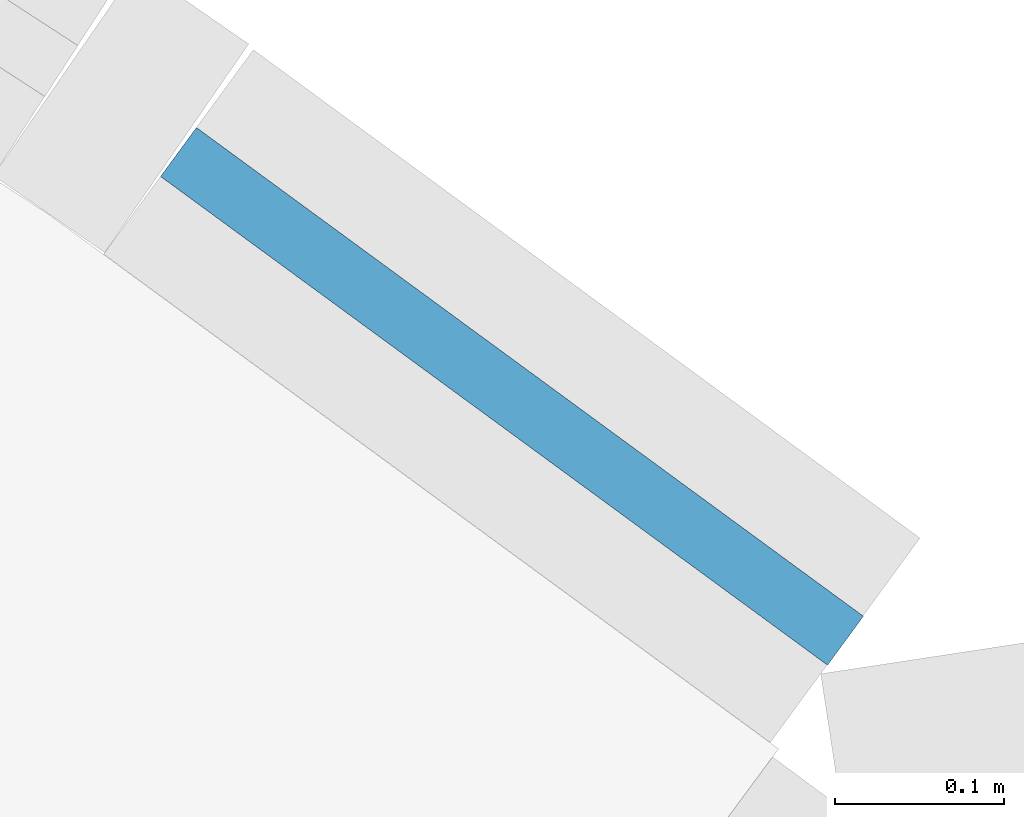
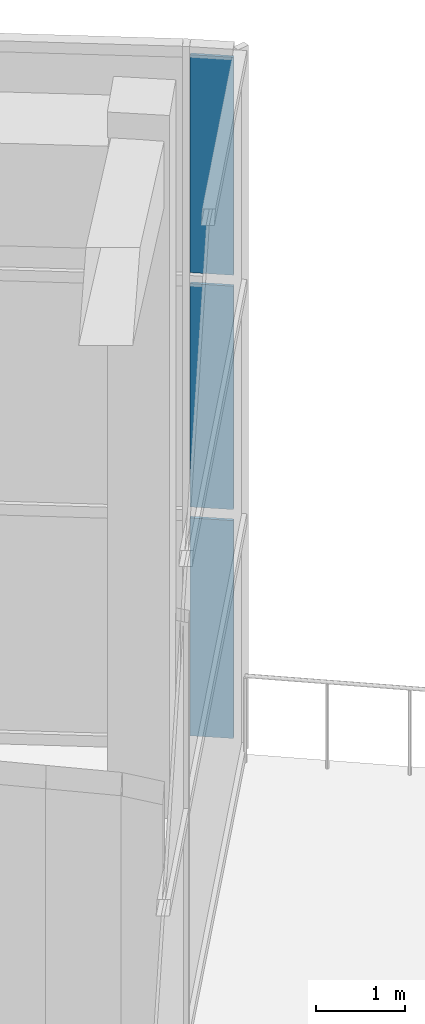
# One storey, part 12 of 20: 3 plates, 1 element without a shape of its own.
"""IFC4 building model written with IfcOpenShell, lengths in metres."""

from ifc_helpers import new_model, si_unit, direction, frame, origin, origin_2d, place, context, subcontext, project, spatial, rectangle, extrude, material, layer, layer_set, type_object, element, aggregate, save


model = new_model("IFC4")

# Units and contexts
model_context = context("Model", 3, precision=1e-05, world=origin(), true_north=direction((0.0, 1.0)))
body_context = subcontext(model_context, "Body", "Model", "MODEL_VIEW")
ifc_project = project(units=[si_unit("LENGTHUNIT", "METRE"), si_unit("AREAUNIT", "SQUARE_METRE"), si_unit("VOLUMEUNIT", "CUBIC_METRE"), si_unit("PLANEANGLEUNIT", "RADIAN"), si_unit("MASSUNIT", "GRAM", prefix="KILO")], contexts=[model_context])

# Site, building, storey
site_placement = place(None, origin())
site = spatial("IfcSite", under=ifc_project, at=site_placement, CompositionType="ELEMENT")
building_placement = place(site_placement, origin())
building = spatial("IfcBuilding", under=site, at=building_placement, Name="Stone Belt Terrace Tower", CompositionType="ELEMENT")
storey_placement = place(building_placement, frame((0.0, 0.0, 323.0)))
storey = spatial("IfcBuildingStorey", under=building, at=storey_placement, Name="L78", CompositionType="ELEMENT", Elevation=323.0)

# Curtain wall, plates
ifc_material_1 = material(Name="Aluminium 6063-T6 anodised frame", Category="aluminium")
ifc_layer_1 = layer(ifc_material_1, 0.14990234375)
ifc_layer_set_1 = layer_set([ifc_layer_1], Name="CW-E conservatory and damper hall curtain wall")
curtain_wall_type = type_object("IfcCurtainWallType", Name="CW-E conservatory and damper hall curtain wall", PredefinedType="NOTDEFINED", material=ifc_layer_set_1)
curtain_wall_placement = place(storey_placement, origin())
curtain_wall = element("IfcCurtainWall", 1, at=curtain_wall_placement, inside=storey, type_object=curtain_wall_type, Name="CW-E convex face L78", PredefinedType="NOTDEFINED")
ifc_material_2 = material(Name="Clear double glazed unit")
ifc_layer_2 = layer(ifc_material_2, 0.035888671875)
ifc_layer_set_2 = layer_set([ifc_layer_2], Name="CW-E glass panel 36")
plate_type = type_object("IfcPlateType", Name="CW-E glass panel 36", PredefinedType="CURTAIN_PANEL", material=ifc_layer_set_2)
plate_1_placement = place(storey_placement, frame((39.361572265625, 53.69189453125, 0.14990234375), z_axis=(0.0, 0.0, 1.0), x_axis=(-0.806646058206, 0.591034801666, 0.0)))
plate_1 = element("IfcPlate", 2, at=plate_1_placement, type_object=plate_type, Name="CW-E panel 1.1", PredefinedType="CURTAIN_PANEL", context=body_context, shape_type="SweptSolid", body=[
    extrude(rectangle(XDim=0.489013671875, YDim=0.035888671875, at=origin_2d()), origin(), (0.0, 0.0, 1.0), 2.97509765625),
])
plate_2_placement = place(storey_placement, frame((39.361572265625, 53.69189453125, 3.27490234375), z_axis=(0.0, 0.0, 1.0), x_axis=(-0.806646058206, 0.591034801666, 0.0)))
plate_2 = element("IfcPlate", 3, at=plate_2_placement, type_object=plate_type, Name="CW-E panel 1.2", PredefinedType="CURTAIN_PANEL", context=body_context, shape_type="SweptSolid", body=[
    extrude(rectangle(XDim=0.489013671875, YDim=0.035888671875, at=origin_2d()), origin(), (0.0, 0.0, 1.0), 3.050048828125),
])
plate_3_placement = place(storey_placement, frame((39.361572265625, 53.69189453125, 6.474853515625), z_axis=(0.0, 0.0, 1.0), x_axis=(-0.806646058206, 0.591034801666, 0.0)))
plate_3 = element("IfcPlate", 4, at=plate_3_placement, type_object=plate_type, Name="CW-E panel 1.3", PredefinedType="CURTAIN_PANEL", context=body_context, shape_type="SweptSolid", body=[
    extrude(rectangle(XDim=0.489013671875, YDim=0.035888671875, at=origin_2d()), origin(), (0.0, 0.0, 1.0), 2.97509765625),
])
aggregate(curtain_wall, [plate_1, plate_2, plate_3])

save(model, "model.ifc")
